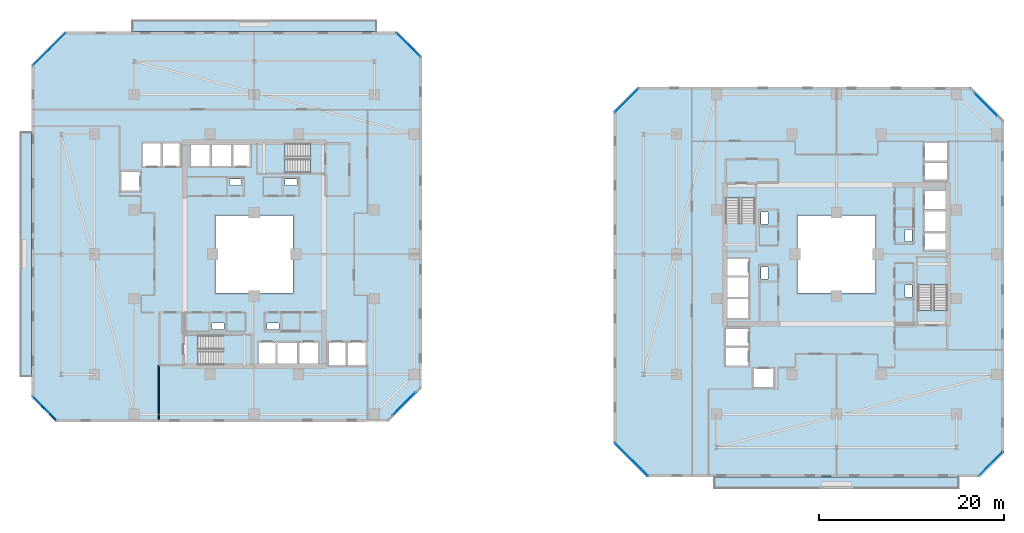
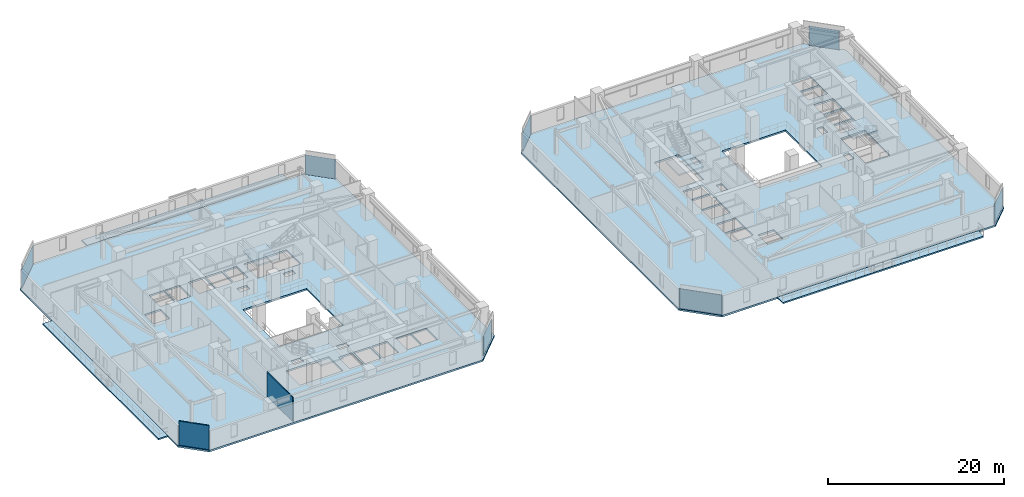
# One storey, part 18 of 33: 9 slabs, 8 plates, 2 walls, 12 elements without a shape of their own.
"""IFC4 building model written with IfcOpenShell, lengths in metres."""

from ifc_helpers import new_model, si_unit, direction, frame, frame_2d, origin, origin_2d, place, context, subcontext, project, spatial, polyline, rectangle, outline, extrude, material, layer, layer_set, type_object, element, aggregate, save


model = new_model("IFC4")

# Units and contexts
model_context = context("Model", 3, precision=1e-05, world=origin(), true_north=direction((0.0, 1.0)))
body_context = subcontext(model_context, "Body", "Model", "MODEL_VIEW")
ifc_project = project(units=[si_unit("LENGTHUNIT", "METRE"), si_unit("AREAUNIT", "SQUARE_METRE"), si_unit("VOLUMEUNIT", "CUBIC_METRE"), si_unit("PLANEANGLEUNIT", "RADIAN"), si_unit("MASSUNIT", "GRAM", prefix="KILO")], contexts=[model_context])

# Site, building, storey
site_placement = place(None, origin())
site = spatial("IfcSite", under=ifc_project, at=site_placement, CompositionType="ELEMENT")
building_placement = place(site_placement, origin())
building = spatial("IfcBuilding", under=site, at=building_placement, Name="Thornwick Lancets Civic Towers", CompositionType="ELEMENT")
storey_placement = place(building_placement, frame((0.0, 0.0, 105.300048828125)))
storey = spatial("IfcBuildingStorey", under=building, at=storey_placement, Name="L27", CompositionType="ELEMENT", Elevation=105.300048828125)

# Curtain wall, plate
ifc_material_1 = material(Name="Low-zone chamfered-corner unitised glass curtain wall", Category="glass")
curtain_wall_type = type_object("IfcCurtainWallType", Name="CW_SYS_03", PredefinedType="NOTDEFINED", material=ifc_material_1)
curtain_wall_1_placement = place(storey_placement, origin())
curtain_wall_1 = element("IfcCurtainWall", 1, at=curtain_wall_1_placement, inside=storey, type_object=curtain_wall_type, Name="L27 Curtain Wall CW-L27-A-E1", PredefinedType="NOTDEFINED")
ifc_material_2 = material(Name="Low-e double glazing clear glass", Category="glass")
ifc_layer_1 = layer(ifc_material_2, 0.035888671875, Name="Low-e double glazing clear glass")
ifc_layer_set_1 = layer_set([ifc_layer_1], Name="Low-e double glazing clear glass")
plate_type = type_object("IfcPlateType", Name="CW_PNL_GLASS", PredefinedType="CURTAIN_PANEL", material=ifc_layer_set_1)
plate_1_placement = place(storey_placement, frame((41.68212890625, 10.817626953125, 0.0), z_axis=(0.0, 0.0, 1.0), x_axis=(0.707106781187, 0.707106781187, 0.0)))
plate_1 = element("IfcPlate", 2, at=plate_1_placement, type_object=plate_type, Name="CW-L27-A-E1 Panel 0", PredefinedType="CURTAIN_PANEL", context=body_context, shape_type="SweptSolid", body=[
    extrude(rectangle(XDim=3.5771484375, YDim=0.035888671875, at=origin_2d()), origin(), (0.0, 0.0, 1.0), 2.699951171875),
])
aggregate(curtain_wall_1, [plate_1])

curtain_wall_2_placement = place(storey_placement, origin())
curtain_wall_2 = element("IfcCurtainWall", 3, at=curtain_wall_2_placement, inside=storey, type_object=curtain_wall_type, Name="L27 Curtain Wall CW-L27-A-E3", PredefinedType="NOTDEFINED")
plate_2_placement = place(storey_placement, frame((42.173095703125, 49.673095703125, 0.0), z_axis=(0.0, 0.0, 1.0), x_axis=(-0.707106781187, 0.707106781187, 0.0)))
plate_2 = element("IfcPlate", 4, at=plate_2_placement, type_object=plate_type, Name="CW-L27-A-E3 Panel 0", PredefinedType="CURTAIN_PANEL", context=body_context, shape_type="SweptSolid", body=[
    extrude(rectangle(XDim=3.6494140625, YDim=0.035888671875, at=origin_2d()), origin(), (0.0, 0.0, 1.0), 2.699951171875),
])
aggregate(curtain_wall_2, [plate_2])

curtain_wall_3_placement = place(storey_placement, origin())
curtain_wall_3 = element("IfcCurtainWall", 5, at=curtain_wall_3_placement, inside=storey, type_object=curtain_wall_type, Name="L27 Curtain Wall CW-L27-A-E5", PredefinedType="NOTDEFINED")
plate_3_placement = place(storey_placement, frame((3.31787109375, 49.18212890625, 0.0), z_axis=(0.0, 0.0, 1.0), x_axis=(-0.707106781187, -0.707106781187, 0.0)))
plate_3 = element("IfcPlate", 6, at=plate_3_placement, type_object=plate_type, Name="CW-L27-A-E5 Panel 0", PredefinedType="CURTAIN_PANEL", context=body_context, shape_type="SweptSolid", body=[
    extrude(rectangle(XDim=5.028564453125, YDim=0.035888671875, at=origin_2d()), origin(), (0.0, 0.0, 1.0), 2.699951171875),
])
aggregate(curtain_wall_3, [plate_3])

curtain_wall_4_placement = place(storey_placement, origin())
curtain_wall_4 = element("IfcCurtainWall", 7, at=curtain_wall_4_placement, inside=storey, type_object=curtain_wall_type, Name="L27 Curtain Wall CW-L27-A-E7", PredefinedType="NOTDEFINED")
plate_4_placement = place(storey_placement, frame((2.826904296875, 10.326904296875, 0.0), z_axis=(0.0, 0.0, 1.0), x_axis=(0.707106781187, -0.707106781187, 0.0)))
plate_4 = element("IfcPlate", 8, at=plate_4_placement, type_object=plate_type, Name="CW-L27-A-E7 Panel 0", PredefinedType="CURTAIN_PANEL", context=body_context, shape_type="SweptSolid", body=[
    extrude(rectangle(XDim=3.6494140625, YDim=0.035888671875, at=origin_2d()), origin(), (0.0, 0.0, 1.0), 2.699951171875),
])
aggregate(curtain_wall_4, [plate_4])

curtain_wall_5_placement = place(storey_placement, origin())
curtain_wall_5 = element("IfcCurtainWall", 9, at=curtain_wall_5_placement, inside=storey, type_object=curtain_wall_type, Name="L27 Curtain Wall CW-L27-B-E1", PredefinedType="NOTDEFINED")
plate_5_placement = place(storey_placement, frame((105.173095703125, 4.326904296875, 0.0), z_axis=(0.0, 0.0, 1.0), x_axis=(0.707106781187, 0.707106781187, 0.0)))
plate_5 = element("IfcPlate", 10, at=plate_5_placement, type_object=plate_type, Name="CW-L27-B-E1 Panel 0", PredefinedType="CURTAIN_PANEL", context=body_context, shape_type="SweptSolid", body=[
    extrude(rectangle(XDim=3.6494140625, YDim=0.035888671875, at=origin_2d()), origin(), (0.0, 0.0, 1.0), 2.699951171875),
])
aggregate(curtain_wall_5, [plate_5])

curtain_wall_6_placement = place(storey_placement, origin())
curtain_wall_6 = element("IfcCurtainWall", 11, at=curtain_wall_6_placement, inside=storey, type_object=curtain_wall_type, Name="L27 Curtain Wall CW-L27-B-E3", PredefinedType="NOTDEFINED")
plate_6_placement = place(storey_placement, frame((104.68212890625, 43.18212890625, 0.0), z_axis=(0.0, 0.0, 1.0), x_axis=(-0.707106781187, 0.707106781187, 0.0)))
plate_6 = element("IfcPlate", 12, at=plate_6_placement, type_object=plate_type, Name="CW-L27-B-E3 Panel 0", PredefinedType="CURTAIN_PANEL", context=body_context, shape_type="SweptSolid", body=[
    extrude(rectangle(XDim=3.5771484375, YDim=0.035888671875, at=origin_2d()), origin(), (0.0, 0.0, 1.0), 2.699951171875),
])
aggregate(curtain_wall_6, [plate_6])

curtain_wall_7_placement = place(storey_placement, origin())
curtain_wall_7 = element("IfcCurtainWall", 13, at=curtain_wall_7_placement, inside=storey, type_object=curtain_wall_type, Name="L27 Curtain Wall CW-L27-B-E5", PredefinedType="NOTDEFINED")
plate_7_placement = place(storey_placement, frame((65.826904296875, 43.673095703125, 0.0), z_axis=(0.0, 0.0, 1.0), x_axis=(-0.707106781187, -0.707106781187, 0.0)))
plate_7 = element("IfcPlate", 14, at=plate_7_placement, type_object=plate_type, Name="CW-L27-B-E5 Panel 0", PredefinedType="CURTAIN_PANEL", context=body_context, shape_type="SweptSolid", body=[
    extrude(rectangle(XDim=3.6494140625, YDim=0.035888671875, at=origin_2d()), origin(), (0.0, 0.0, 1.0), 2.699951171875),
])
aggregate(curtain_wall_7, [plate_7])

curtain_wall_8_placement = place(storey_placement, origin())
curtain_wall_8 = element("IfcCurtainWall", 15, at=curtain_wall_8_placement, inside=storey, type_object=curtain_wall_type, Name="L27 Curtain Wall CW-L27-B-E7", PredefinedType="NOTDEFINED")
plate_8_placement = place(storey_placement, frame((66.317626953125, 4.81787109375, 0.0), z_axis=(0.0, 0.0, 1.0), x_axis=(0.707106781187, -0.707106781187, 0.0)))
plate_8 = element("IfcPlate", 16, at=plate_8_placement, type_object=plate_type, Name="CW-L27-B-E7 Panel 0", PredefinedType="CURTAIN_PANEL", context=body_context, shape_type="SweptSolid", body=[
    extrude(rectangle(XDim=5.028564453125, YDim=0.035888671875, at=origin_2d()), origin(), (0.0, 0.0, 1.0), 2.699951171875),
])
aggregate(curtain_wall_8, [plate_8])

# Slabs
ifc_material_3 = material(Name="Post-tensioned concrete C40/50", Category="concrete")
ifc_layer_2 = layer(ifc_material_3, 0.199951171875, Name="Post-tensioned concrete C40/50")
ifc_layer_set_2 = layer_set([ifc_layer_2], Name="Post-tensioned concrete C40/50")
slab_type_1 = type_object("IfcSlabType", Name="SLAB_BALCONY_200", PredefinedType="FLOOR", material=ifc_layer_set_2)
slab_1_placement = place(storey_placement, frame((0.0, 0.0, -0.199951171875)))
element("IfcSlab", 17, at=slab_1_placement, inside=storey, type_object=slab_type_1, Name="L27 Tower A Planted Balcony Slab W", PredefinedType="FLOOR", context=body_context, shape_type="SweptSolid", body=[
    extrude(outline(polyline([(0.14990234375, 13.800048828125), (1.39990234375, 13.800048828125), (1.39990234375, 40.199951171875), (0.14990234375, 40.199951171875), (0.14990234375, 13.800048828125)])), origin(), (0.0, 0.0, 1.0), 0.199951171875),
])
slab_2_placement = place(storey_placement, frame((0.0, 0.0, -0.199951171875)))
element("IfcSlab", 18, at=slab_2_placement, inside=storey, type_object=slab_type_1, Name="L27 Tower A Planted Balcony Slab N", PredefinedType="FLOOR", context=body_context, shape_type="SweptSolid", body=[
    extrude(outline(polyline([(12.300048828125, 51.10009765625), (38.699951171875, 51.10009765625), (38.699951171875, 52.35009765625), (12.300048828125, 52.35009765625), (12.300048828125, 51.10009765625)])), origin(), (0.0, 0.0, 1.0), 0.199951171875),
])
slab_3_placement = place(storey_placement, frame((0.0, 0.0, -0.199951171875)))
element("IfcSlab", 19, at=slab_3_placement, inside=storey, type_object=slab_type_1, Name="L27 Tower B Planted Balcony Slab S", PredefinedType="FLOOR", context=body_context, shape_type="SweptSolid", body=[
    extrude(outline(polyline([(75.300048828125, 1.64990234375), (101.699951171875, 1.64990234375), (101.699951171875, 2.89990234375), (75.300048828125, 2.89990234375), (75.300048828125, 1.64990234375)])), origin(), (0.0, 0.0, 1.0), 0.199951171875),
])

# Stair, slab
ifc_material_4 = material(Name="Concrete C40/50", Category="concrete")
stair_type = type_object("IfcStairType", Name="STAIR_DL_3600", PredefinedType="HALF_TURN_STAIR", material=ifc_material_4)
stair_1_placement = place(storey_placement, origin())
stair_1 = element("IfcStair", 20, at=stair_1_placement, inside=storey, type_object=stair_type, Name="L27 Tower A South Exit Stair ST-A1", PredefinedType="HALF_TURN_STAIR")
ifc_layer_3 = layer(ifc_material_4, 0.25, Name="Concrete C40/50")
ifc_layer_set_3 = layer_set([ifc_layer_3], Name="Concrete C40/50")
slab_type_2 = type_object("IfcSlabType", Name="SLAB_LANDING_200", PredefinedType="LANDING", material=ifc_layer_set_3)
slab_4_placement = place(storey_placement, frame((0.0, 0.0, 1.60302734375)))
slab_4 = element("IfcSlab", 21, at=slab_4_placement, type_object=slab_type_2, Name="ST-A1 landing 1", PredefinedType="LANDING", context=body_context, shape_type="SweptSolid", body=[
    extrude(outline(polyline([(22.169921875, 14.93994140625), (25.14990234375, 14.93994140625), (25.14990234375, 18.260009765625), (22.169921875, 18.260009765625), (22.169921875, 14.93994140625)])), origin(), (0.0, 0.0, 1.0), 0.199951171875),
])
aggregate(stair_1, [slab_4])

stair_2_placement = place(storey_placement, origin())
stair_2 = element("IfcStair", 22, at=stair_2_placement, inside=storey, type_object=stair_type, Name="L27 Tower A North Exit Stair ST-A2", PredefinedType="HALF_TURN_STAIR")
slab_5_placement = place(storey_placement, frame((0.0, 0.0, 1.60302734375)))
slab_5 = element("IfcSlab", 23, at=slab_5_placement, type_object=slab_type_2, Name="ST-A2 landing 1", PredefinedType="LANDING", context=body_context, shape_type="SweptSolid", body=[
    extrude(outline(polyline([(28.830078125, 39.06005859375), (25.85009765625, 39.06005859375), (25.85009765625, 35.739990234375), (28.830078125, 35.739990234375), (28.830078125, 39.06005859375)])), origin(), (0.0, 0.0, 1.0), 0.199951171875),
])
aggregate(stair_2, [slab_5])

stair_3_placement = place(storey_placement, origin())
stair_3 = element("IfcStair", 24, at=stair_3_placement, inside=storey, type_object=stair_type, Name="L27 Tower B East Exit Stair ST-B1", PredefinedType="HALF_TURN_STAIR")
slab_6_placement = place(storey_placement, frame((0.0, 0.0, 1.60302734375)))
slab_6 = element("IfcSlab", 25, at=slab_6_placement, type_object=slab_type_2, Name="ST-B1 landing 1", PredefinedType="LANDING", context=body_context, shape_type="SweptSolid", body=[
    extrude(outline(polyline([(100.56005859375, 23.669921875), (100.56005859375, 26.64990234375), (97.239990234375, 26.64990234375), (97.239990234375, 23.669921875), (100.56005859375, 23.669921875)])), origin(), (0.0, 0.0, 1.0), 0.199951171875),
])
aggregate(stair_3, [slab_6])

stair_4_placement = place(storey_placement, origin())
stair_4 = element("IfcStair", 26, at=stair_4_placement, inside=storey, type_object=stair_type, Name="L27 Tower B West Exit Stair ST-B2", PredefinedType="HALF_TURN_STAIR")
slab_7_placement = place(storey_placement, frame((0.0, 0.0, 1.60302734375)))
slab_7 = element("IfcSlab", 27, at=slab_7_placement, type_object=slab_type_2, Name="ST-B2 landing 1", PredefinedType="LANDING", context=body_context, shape_type="SweptSolid", body=[
    extrude(outline(polyline([(76.43994140625, 30.330078125), (76.43994140625, 27.35009765625), (79.760009765625, 27.35009765625), (79.760009765625, 30.330078125), (76.43994140625, 30.330078125)])), origin(), (0.0, 0.0, 1.0), 0.199951171875),
])
aggregate(stair_4, [slab_7])

# Slabs
ifc_layer_4 = layer(ifc_material_3, 0.239990234375, Name="Post-tensioned concrete C40/50")
ifc_layer_set_4 = layer_set([ifc_layer_4], Name="Post-tensioned concrete C40/50")
slab_type_3 = type_object("IfcSlabType", Name="SLAB_PT_240", PredefinedType="FLOOR", material=ifc_layer_set_4)
slab_8_placement = place(storey_placement, frame((0.0, 0.0, -0.239990234375)))
element("IfcSlab", 28, at=slab_8_placement, inside=storey, type_object=slab_type_3, Name="L27 Tower A Floor Slab", PredefinedType="FLOOR", context=body_context, shape_type="SweptSolid", body=[
    extrude(outline(polyline([(4.0, 8.89990234375), (40.01806640625, 8.89990234375), (43.60009765625, 12.48193359375), (43.60009765625, 48.5), (41.0, 51.10009765625), (4.98193359375, 51.10009765625), (1.39990234375, 47.51806640625), (1.39990234375, 11.5), (4.0, 8.89990234375)]), holes=[polyline([(21.300048828125, 22.800048828125), (29.699951171875, 22.800048828125), (29.699951171875, 31.199951171875), (21.300048828125, 31.199951171875), (21.300048828125, 22.800048828125)]), polyline([(19.429931640625, 15.0), (25.10009765625, 15.0), (25.10009765625, 18.199951171875), (19.429931640625, 18.199951171875), (19.429931640625, 15.0)]), polyline([(31.570068359375, 39.0), (25.89990234375, 39.0), (25.89990234375, 35.800048828125), (31.570068359375, 35.800048828125), (31.570068359375, 39.0)]), polyline([(26.0, 15.0), (27.800048828125, 15.0), (27.800048828125, 17.550048828125), (26.0, 17.550048828125), (26.0, 15.0)]), polyline([(28.0, 15.0), (30.14990234375, 15.0), (30.14990234375, 17.550048828125), (28.0, 17.550048828125), (28.0, 15.0)]), polyline([(30.35009765625, 15.0), (32.39990234375, 15.0), (32.39990234375, 17.550048828125), (30.35009765625, 17.550048828125), (30.35009765625, 15.0)]), polyline([(33.550048828125, 15.0), (35.449951171875, 15.0), (35.449951171875, 17.550048828125), (33.550048828125, 17.550048828125), (33.550048828125, 15.0)]), polyline([(35.60009765625, 15.0), (37.550048828125, 15.0), (37.550048828125, 17.550048828125), (35.60009765625, 17.550048828125), (35.60009765625, 15.0)]), polyline([(23.199951171875, 36.449951171875), (25.0, 36.449951171875), (25.0, 39.0), (23.199951171875, 39.0), (23.199951171875, 36.449951171875)]), polyline([(20.85009765625, 36.449951171875), (23.0, 36.449951171875), (23.0, 39.0), (20.85009765625, 39.0), (20.85009765625, 36.449951171875)]), polyline([(18.60009765625, 36.449951171875), (20.699951171875, 36.449951171875), (20.699951171875, 39.0), (18.60009765625, 39.0), (18.60009765625, 36.449951171875)]), polyline([(15.550048828125, 36.449951171875), (17.449951171875, 36.449951171875), (17.449951171875, 39.0), (15.550048828125, 39.0), (15.550048828125, 36.449951171875)]), polyline([(13.449951171875, 36.449951171875), (15.39990234375, 36.449951171875), (15.39990234375, 39.0), (13.449951171875, 39.0), (13.449951171875, 36.449951171875)]), polyline([(11.10009765625, 33.85009765625), (13.199951171875, 33.85009765625), (13.199951171875, 35.949951171875), (11.10009765625, 35.949951171875), (11.10009765625, 33.85009765625)]), polyline([(26.89990234375, 18.85009765625), (28.199951171875, 18.85009765625), (28.199951171875, 19.580078125), (26.89990234375, 19.580078125), (26.89990234375, 18.85009765625)]), polyline([(20.89990234375, 18.85009765625), (22.199951171875, 18.85009765625), (22.199951171875, 19.580078125), (20.89990234375, 19.580078125), (20.89990234375, 18.85009765625)]), polyline([(22.800048828125, 34.419921875), (24.10009765625, 34.419921875), (24.10009765625, 35.14990234375), (22.800048828125, 35.14990234375), (22.800048828125, 34.419921875)]), polyline([(28.800048828125, 34.419921875), (30.10009765625, 34.419921875), (30.10009765625, 35.14990234375), (28.800048828125, 35.14990234375), (28.800048828125, 34.419921875)])]), origin(), (0.0, 0.0, 1.0), 0.239990234375),
])
slab_9_placement = place(storey_placement, frame((0.0, 0.0, -0.239990234375)))
element("IfcSlab", 29, at=slab_9_placement, inside=storey, type_object=slab_type_3, Name="L27 Tower B Floor Slab", PredefinedType="FLOOR", context=body_context, shape_type="SweptSolid", body=[
    extrude(outline(polyline([(67.98193359375, 2.89990234375), (104.0, 2.89990234375), (106.60009765625, 5.5), (106.60009765625, 41.51806640625), (103.01806640625, 45.10009765625), (67.0, 45.10009765625), (64.39990234375, 42.5), (64.39990234375, 6.48193359375), (67.98193359375, 2.89990234375)]), holes=[polyline([(84.300048828125, 22.800048828125), (92.699951171875, 22.800048828125), (92.699951171875, 31.199951171875), (84.300048828125, 31.199951171875), (84.300048828125, 22.800048828125)]), polyline([(100.5, 20.929931640625), (100.5, 26.60009765625), (97.300048828125, 26.60009765625), (97.300048828125, 20.929931640625), (100.5, 20.929931640625)]), polyline([(76.5, 33.070068359375), (76.5, 27.39990234375), (79.699951171875, 27.39990234375), (79.699951171875, 33.070068359375), (76.5, 33.070068359375)]), polyline([(97.949951171875, 27.5), (100.5, 27.5), (100.5, 29.300048828125), (97.949951171875, 29.300048828125), (97.949951171875, 27.5)]), polyline([(97.949951171875, 29.5), (100.5, 29.5), (100.5, 31.64990234375), (97.949951171875, 31.64990234375), (97.949951171875, 29.5)]), polyline([(97.949951171875, 31.85009765625), (100.5, 31.85009765625), (100.5, 33.89990234375), (97.949951171875, 33.89990234375), (97.949951171875, 31.85009765625)]), polyline([(97.949951171875, 35.050048828125), (100.5, 35.050048828125), (100.5, 36.949951171875), (97.949951171875, 36.949951171875), (97.949951171875, 35.050048828125)]), polyline([(97.949951171875, 37.10009765625), (100.5, 37.10009765625), (100.5, 39.050048828125), (97.949951171875, 39.050048828125), (97.949951171875, 37.10009765625)]), polyline([(76.5, 24.699951171875), (79.050048828125, 24.699951171875), (79.050048828125, 26.5), (76.5, 26.5), (76.5, 24.699951171875)]), polyline([(76.5, 22.35009765625), (79.050048828125, 22.35009765625), (79.050048828125, 24.5), (76.5, 24.5), (76.5, 22.35009765625)]), polyline([(76.5, 20.10009765625), (79.050048828125, 20.10009765625), (79.050048828125, 22.199951171875), (76.5, 22.199951171875), (76.5, 20.10009765625)]), polyline([(76.5, 17.050048828125), (79.050048828125, 17.050048828125), (79.050048828125, 18.949951171875), (76.5, 18.949951171875), (76.5, 17.050048828125)]), polyline([(76.5, 14.949951171875), (79.050048828125, 14.949951171875), (79.050048828125, 16.89990234375), (76.5, 16.89990234375), (76.5, 14.949951171875)]), polyline([(79.550048828125, 12.60009765625), (81.64990234375, 12.60009765625), (81.64990234375, 14.699951171875), (79.550048828125, 14.699951171875), (79.550048828125, 12.60009765625)]), polyline([(95.919921875, 28.39990234375), (96.64990234375, 28.39990234375), (96.64990234375, 29.699951171875), (95.919921875, 29.699951171875), (95.919921875, 28.39990234375)]), polyline([(95.919921875, 22.39990234375), (96.64990234375, 22.39990234375), (96.64990234375, 23.699951171875), (95.919921875, 23.699951171875), (95.919921875, 22.39990234375)]), polyline([(80.35009765625, 24.300048828125), (81.080078125, 24.300048828125), (81.080078125, 25.60009765625), (80.35009765625, 25.60009765625), (80.35009765625, 24.300048828125)]), polyline([(80.35009765625, 30.300048828125), (81.080078125, 30.300048828125), (81.080078125, 31.60009765625), (80.35009765625, 31.60009765625), (80.35009765625, 30.300048828125)])]), origin(), (0.0, 0.0, 1.0), 0.239990234375),
])

# Walls
ifc_material_5 = material(Name="Acoustic gypsum board partition")
ifc_layer_5 = layer(ifc_material_5, 0.1201171875, Name="Acoustic gypsum board partition")
ifc_layer_set_5 = layer_set([ifc_layer_5], Name="Acoustic gypsum board partition")
wall_type = type_object("IfcWallType", Name="WALL_PART_120", PredefinedType="PARTITIONING", material=ifc_layer_set_5)
wall_1_placement = place(storey_placement, frame((15.14990234375, 15.0, 0.0), z_axis=(0.0, 0.0, 1.0), x_axis=(0.0, -1.0, 0.0)))
element("IfcWall", 30, at=wall_1_placement, inside=storey, type_object=wall_type, Name="L27 Partition L27-A-W1 E8", PredefinedType="PARTITIONING", context=body_context, shape_type="SweptSolid", body=[
    extrude(rectangle(XDim=5.919921875, YDim=0.1201171875, at=frame_2d((2.9599609375, 0.0))), origin(), (0.0, 0.0, 1.0), 3.33984375),
])
wall_2_placement = place(storey_placement, frame((4.07470703125, 9.080078125, 0.0), z_axis=(0.0, 0.0, 1.0), x_axis=(-0.707106781187, 0.707106781187, 0.0)))
element("IfcWall", 31, at=wall_2_placement, inside=storey, type_object=wall_type, Name="L27 Partition L27-A-W1 E10", PredefinedType="PARTITIONING", context=body_context, shape_type="SweptSolid", body=[
    extrude(rectangle(XDim=3.52783203125, YDim=0.1201171875, at=frame_2d((1.763916015625, 0.0))), origin(), (0.0, 0.0, 1.0), 3.33984375),
])

save(model, "model.ifc")
